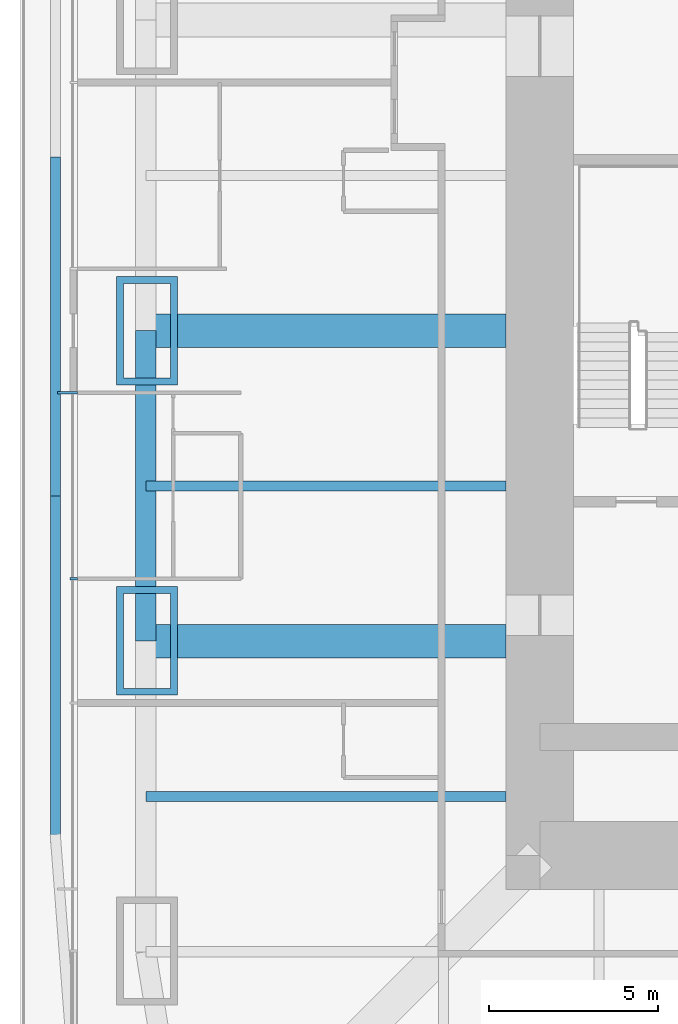
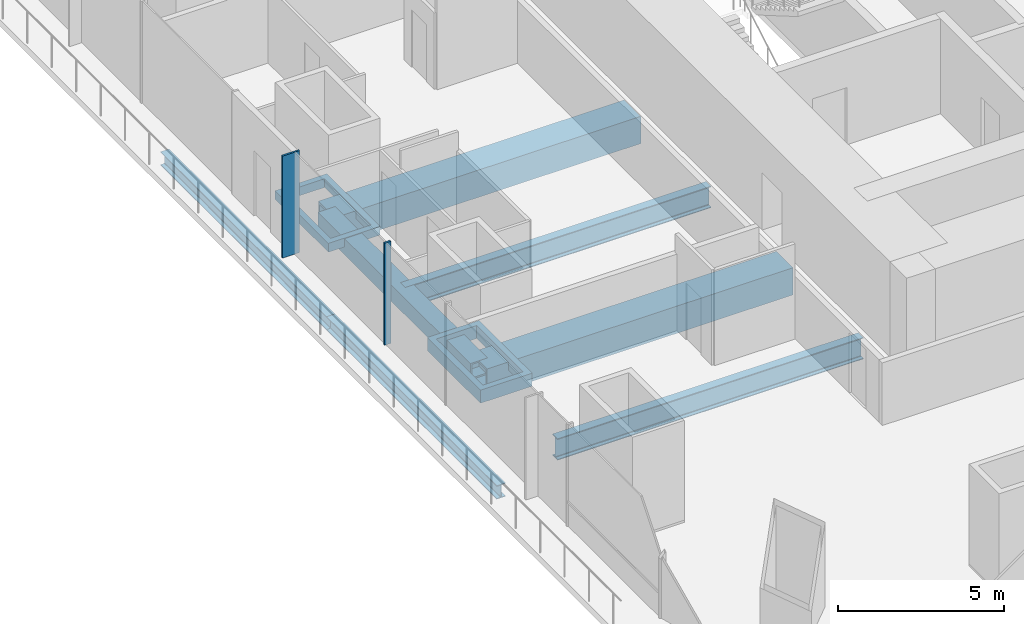
# One storey, part 3 of 16: 7 members, 4 beams, 1 element without a shape of its own.
"""IFC4 building model written with IfcOpenShell, lengths in metres."""

from ifc_helpers import new_model, si_unit, direction, frame, origin, origin_2d, place, context, subcontext, project, spatial, rectangle, hollow_rectangle, i_section, extrude, material, material_profile, profile_set, type_object, element, aggregate, save


model = new_model("IFC4")

# Units and contexts
model_context = context("Model", 3, precision=1e-05, world=origin(), true_north=direction((0.0, 1.0)))
body_context = subcontext(model_context, "Body", "Model", "MODEL_VIEW")
ifc_project = project(units=[si_unit("LENGTHUNIT", "METRE"), si_unit("AREAUNIT", "SQUARE_METRE"), si_unit("VOLUMEUNIT", "CUBIC_METRE"), si_unit("PLANEANGLEUNIT", "RADIAN"), si_unit("MASSUNIT", "GRAM", prefix="KILO")], contexts=[model_context])

# Site, building, storey
site_placement = place(None, origin())
site = spatial("IfcSite", under=ifc_project, at=site_placement, CompositionType="ELEMENT")
building_placement = place(site_placement, origin())
building = spatial("IfcBuilding", under=site, at=building_placement, Name="Khuree Lantern Residences", CompositionType="ELEMENT")
storey_placement = place(building_placement, frame((0.0, 0.0, 107.25)))
storey = spatial("IfcBuildingStorey", under=building, at=storey_placement, Name="L26", CompositionType="ELEMENT", Elevation=107.25)

# Beams
ifc_material_1 = material(Name="Steel S355", Category="steel")
ifc_material_profile_1 = material_profile(ifc_material_1, i_section(OverallWidth=0.300048828125, OverallDepth=0.7900390625, WebThickness=0.014892578125, FlangeThickness=0.028076171875, FilletRadius=0.030029296875, at=origin_2d()), Name="HE 800 A")
ifc_profile_set_1 = profile_set([ifc_material_profile_1], Name="Steel S355")
beam_type_1 = type_object("IfcBeamType", Name="B-21 SECONDARY BEAM HE 800 A", PredefinedType="BEAM", material=ifc_profile_set_1)
for number, where, z_axis, x_axis, name in (
    (1, (-27.1337890625, -13.755859375, -0.64501953125), (1.0, 0.0, 0.0), (0.0, 1.0, 0.0), "Secondary beam W2"),
    (2, (-27.1337890625, -4.585205078125, -0.64501953125), (1.0, 0.0, 0.0), (0.0, 1.0, 0.0), "Secondary beam W3"),
):
    element("IfcBeam", number, at=place(storey_placement, frame(where, z_axis=z_axis, x_axis=x_axis)), inside=storey, type_object=beam_type_1, Name=name, PredefinedType="BEAM", context=body_context, shape_type="SweptSolid", body=[
        extrude(i_section(OverallWidth=0.300048828125, OverallDepth=0.7900390625, WebThickness=0.014892578125, FlangeThickness=0.028076171875, FilletRadius=0.030029296875, at=origin_2d()), origin(), (0.0, 0.0, 1.0), 10.6337890625),
    ])

# Member
ifc_material_profile_2 = material_profile(ifc_material_1, hollow_rectangle(XDim=0.60009765625, YDim=0.60009765625, WallThickness=0.050048828125, at=origin_2d()), Name="WELDED BOX 600X600X50")
ifc_profile_set_2 = profile_set([ifc_material_profile_2], Name="Steel S355")
member_type_1 = type_object("IfcMemberType", Name="BT-26 BELT TRUSS CHORD WELDED BOX 600X600X50", PredefinedType="CHORD", material=ifc_profile_set_2)
member_1_placement = place(storey_placement, frame((-27.1337890625, -9.17041015625, -0.550048828125), z_axis=(0.0, 1.0, 0.0), x_axis=(-1.0, 0.0, 0.0)))
element("IfcMember", 3, at=member_1_placement, inside=storey, type_object=member_type_1, Name="Belt truss chord W3", PredefinedType="CHORD", context=body_context, shape_type="SweptSolid", body=[
    extrude(hollow_rectangle(XDim=0.60009765625, YDim=0.60009765625, WallThickness=0.050048828125, at=origin_2d()), origin(), (0.0, 0.0, 1.0), 9.17041015625),
])

# Curtain wall, members
ifc_material_2 = material(Name="Bronze anodised aluminium", Category="aluminium")
curtain_wall_type = type_object("IfcCurtainWallType", Name="CW-T1 TOWER FACE CURTAIN WALL", PredefinedType="USERDEFINED", material=ifc_material_2)
curtain_wall_placement = place(storey_placement, origin())
curtain_wall = element("IfcCurtainWall", 4, at=curtain_wall_placement, inside=storey, type_object=curtain_wall_type, Name="L26 WEST FACE CURTAIN WALL", ObjectType="Stick-built curtain wall", PredefinedType="USERDEFINED")
ifc_material_profile_3 = material_profile(ifc_material_2, rectangle(XDim=0.06494140625, YDim=0.60009765625, at=origin_2d()), Name="F1 65X600")
ifc_profile_set_3 = profile_set([ifc_material_profile_3], Name="Bronze anodised aluminium")
member_type_2 = type_object("IfcMemberType", Name="F1 BRONZE FIN MULLION TOWER 65X600", PredefinedType="MULLION", material=ifc_profile_set_3)
member_2_placement = place(storey_placement, frame((-29.449951171875, -1.83203125, 0.0), z_axis=(0.0, 0.0, 1.0), x_axis=(0.0, -1.0, 0.0)))
member_2 = element("IfcMember", 5, at=member_2_placement, type_object=member_type_2, Name="L26 WEST FACE FIN MULLION 38", PredefinedType="MULLION", context=body_context, shape_type="SweptSolid", body=[
    extrude(rectangle(XDim=0.06494140625, YDim=0.60009765625, at=origin_2d()), origin(), (0.0, 0.0, 1.0), 3.75),
])
ifc_material_profile_4 = material_profile(ifc_material_2, rectangle(XDim=0.06494140625, YDim=0.219970703125, at=origin_2d()), Name="M1 65X220")
ifc_profile_set_4 = profile_set([ifc_material_profile_4], Name="Bronze anodised aluminium")
member_type_3 = type_object("IfcMemberType", Name="M1 BRONZE MULLION TOWER 65X220", PredefinedType="MULLION", material=ifc_profile_set_4)
member_3_placement = place(storey_placement, frame((-29.260009765625, -7.327880859375, 0.0), z_axis=(0.0, 0.0, 1.0), x_axis=(0.0, -1.0, 0.0)))
member_3 = element("IfcMember", 6, at=member_3_placement, type_object=member_type_3, Name="L26 WEST FACE MULLION 39", PredefinedType="MULLION", context=body_context, shape_type="SweptSolid", body=[
    extrude(rectangle(XDim=0.06494140625, YDim=0.219970703125, at=origin_2d()), origin(), (0.0, 0.0, 1.0), 3.75),
])
aggregate(curtain_wall, [member_2, member_3])

# Members
ifc_material_3 = material(Name="Steel S355 CFT welded box", Category="steel")
ifc_material_profile_5 = material_profile(ifc_material_3, hollow_rectangle(XDim=3.199951171875, YDim=1.800048828125, WallThickness=0.199951171875, at=origin_2d()), Name="WELDED BOX 3200X1800X200")
ifc_profile_set_5 = profile_set([ifc_material_profile_5], Name="Steel S355 CFT welded box")
member_type_4 = type_object("IfcMemberType", Name="MN MEGA COLUMN NODE WELDED BOX 3200X1800X200", PredefinedType="MEMBER", material=ifc_profile_set_5)
member_4_placement = place(storey_placement, frame((-27.10009765625, -9.159912109375, -0.550048828125), z_axis=(0.0, 0.0, 1.0), x_axis=(0.0, 1.0, 0.0)))
element("IfcMember", 7, at=member_4_placement, inside=storey, type_object=member_type_4, Name="Mega column node W2", PredefinedType="MEMBER", context=body_context, shape_type="SweptSolid", body=[
    extrude(hollow_rectangle(XDim=3.199951171875, YDim=1.800048828125, WallThickness=0.199951171875, at=origin_2d()), origin(), (0.0, 0.0, 1.0), 0.47998046875),
])
member_5_placement = place(storey_placement, frame((-27.10009765625, 0.0, -0.550048828125), z_axis=(0.0, 0.0, 1.0), x_axis=(0.0, 1.0, 0.0)))
element("IfcMember", 8, at=member_5_placement, inside=storey, type_object=member_type_4, Name="Mega column node W3", PredefinedType="MEMBER", context=body_context, shape_type="SweptSolid", body=[
    extrude(hollow_rectangle(XDim=3.199951171875, YDim=1.800048828125, WallThickness=0.199951171875, at=origin_2d()), origin(), (0.0, 0.0, 1.0), 0.320068359375),
])
ifc_material_profile_6 = material_profile(ifc_material_1, hollow_rectangle(XDim=1.0, YDim=1.0, WallThickness=0.080078125, at=origin_2d()), Name="WELDED BOX 1000X1000X80")
ifc_profile_set_6 = profile_set([ifc_material_profile_6], Name="Steel S355")
member_type_5 = type_object("IfcMemberType", Name="OT-26 OUTRIGGER TRUSS CHORD WELDED BOX 1000X1000X80", PredefinedType="CHORD", material=ifc_profile_set_6)
for number, where, z_axis, x_axis, name in (
    (9, (-27.135498046875, -9.171142578125, -0.75), (1.0, 0.0, 0.0), (0.0, 1.0, 0.0), "Outrigger chord W2"),
    (10, (-27.135498046875, 0.0, -0.75), (1.0, 0.0, 0.0), (0.0, 1.0, 0.0), "Outrigger chord W3"),
):
    element("IfcMember", number, at=place(storey_placement, frame(where, z_axis=z_axis, x_axis=x_axis)), inside=storey, type_object=member_type_5, Name=name, PredefinedType="CHORD", context=body_context, shape_type="SweptSolid", body=[
        extrude(hollow_rectangle(XDim=1.0, YDim=1.0, WallThickness=0.080078125, at=origin_2d()), origin(), (0.0, 0.0, 1.0), 10.635498046875),
    ])

# Beams
ifc_material_profile_7 = material_profile(ifc_material_1, i_section(OverallWidth=0.300048828125, OverallDepth=0.5, WebThickness=0.014404296875, FlangeThickness=0.028076171875, FilletRadius=0.027099609375, at=origin_2d()), Name="HE 500 B")
ifc_profile_set_7 = profile_set([ifc_material_profile_7], Name="Steel S355")
beam_type_2 = type_object("IfcBeamType", Name="TB1 TERRACE EDGE BEAM HE 500 B", PredefinedType="BEAM", material=ifc_profile_set_7)
for number, where, z_axis, x_axis, name in (
    (11, (-29.800048828125, -15.125, -0.5), (0.0, 1.0, 0.0), (-1.0, 0.0, 0.0), "Terrace edge beam W2"),
    (12, (-29.800048828125, -5.125, -0.5), (0.0, 1.0, 0.0), (-1.0, 0.0, 0.0), "Terrace edge beam W3"),
):
    element("IfcBeam", number, at=place(storey_placement, frame(where, z_axis=z_axis, x_axis=x_axis)), inside=storey, type_object=beam_type_2, Name=name, PredefinedType="BEAM", context=body_context, shape_type="SweptSolid", body=[
        extrude(i_section(OverallWidth=0.300048828125, OverallDepth=0.5, WebThickness=0.014404296875, FlangeThickness=0.028076171875, FilletRadius=0.027099609375, at=origin_2d()), origin(), (0.0, 0.0, 1.0), 10.25),
    ])

save(model, "model.ifc")
